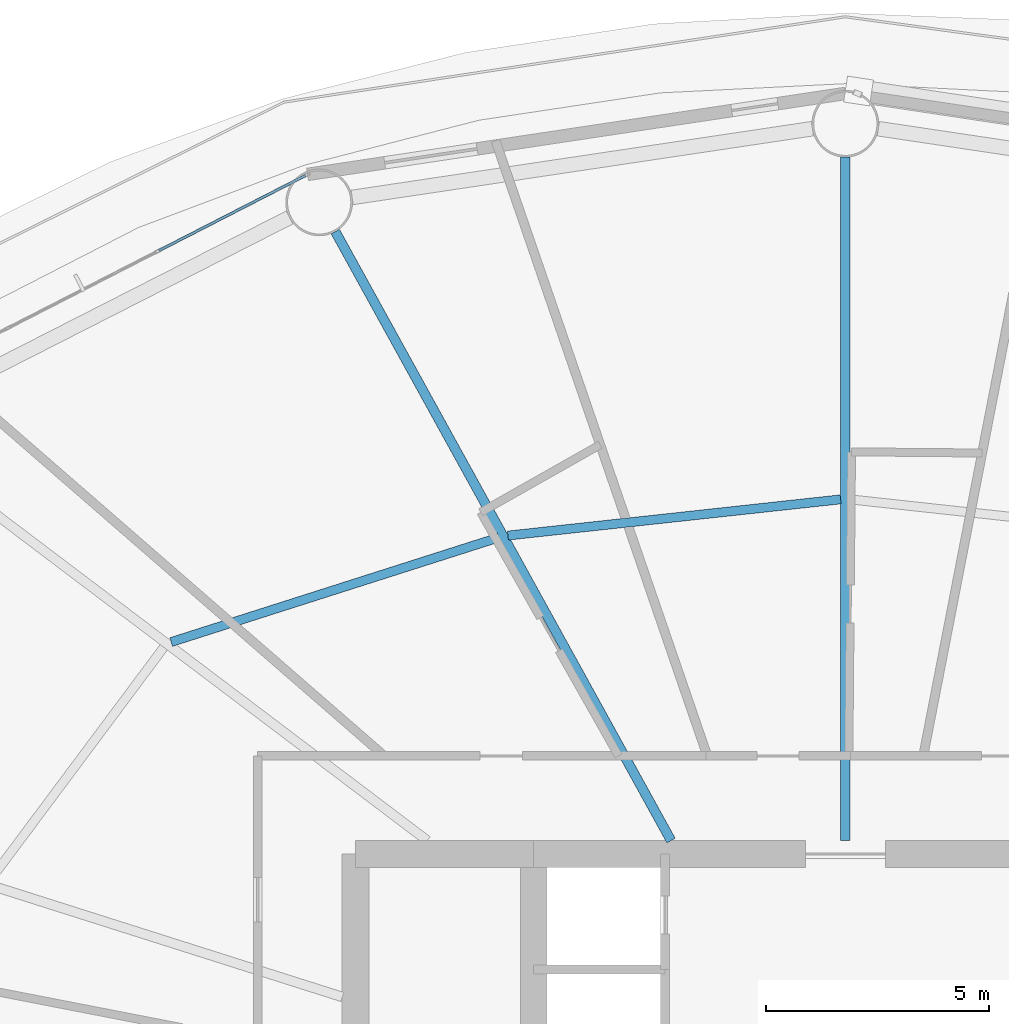
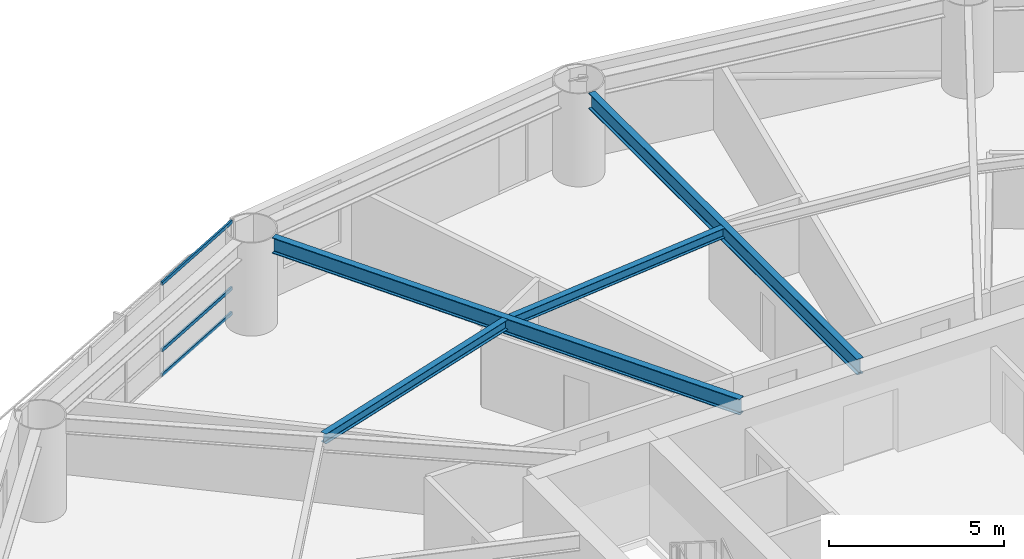
# One storey, part 10 of 27: 4 beams, 3 members, 1 element without a shape of its own.
"""IFC4 building model written with IfcOpenShell, lengths in metres."""

from ifc_helpers import new_model, si_unit, direction, frame, origin, origin_2d, place, context, subcontext, project, spatial, hollow_rectangle, i_section, extrude, material, layer, layer_set, material_profile, profile_set, type_object, element, aggregate, save


model = new_model("IFC4")

# Units and contexts
model_context = context("Model", 3, precision=1e-05, world=origin(), true_north=direction((0.0, 1.0)))
body_context = subcontext(model_context, "Body", "Model", "MODEL_VIEW")
ifc_project = project(units=[si_unit("LENGTHUNIT", "METRE"), si_unit("AREAUNIT", "SQUARE_METRE"), si_unit("VOLUMEUNIT", "CUBIC_METRE"), si_unit("PLANEANGLEUNIT", "RADIAN"), si_unit("MASSUNIT", "GRAM", prefix="KILO")], contexts=[model_context])

# Site, building, storey
site_placement = place(None, origin())
site = spatial("IfcSite", under=ifc_project, at=site_placement, CompositionType="ELEMENT")
building_placement = place(site_placement, origin())
building = spatial("IfcBuilding", under=site, at=building_placement, Name="Sarneth Arch Tower", CompositionType="ELEMENT")
storey_placement = place(building_placement, frame((0.0, 0.0, 75.0)))
storey = spatial("IfcBuildingStorey", under=building, at=storey_placement, Name="L18", CompositionType="ELEMENT", Elevation=75.0)

# Beams
ifc_material_1 = material(Name="Steel S355", Category="steel")
ifc_material_profile_1 = material_profile(ifc_material_1, i_section(OverallWidth=0.202880859375, OverallDepth=0.346923828125, WebThickness=0.0078125, FlangeThickness=0.013427734375, FilletRadius=0.014892578125, at=origin_2d()), Name="W360x64")
ifc_profile_set_1 = profile_set([ifc_material_profile_1], Name="Steel S355")
beam_type_1 = type_object("IfcBeamType", Name="BM-JOIST-360C", PredefinedType="JOIST", material=ifc_profile_set_1)
beam_1_placement = place(storey_placement, frame((47.8935546875, 56.763427734375, 3.076416015625), z_axis=(-0.994129966112, -0.108192469602, 0.0), x_axis=(0.108192469602, -0.994129966112, 0.0)))
element("IfcBeam", 1, at=beam_1_placement, inside=storey, type_object=beam_type_1, Name="L18 Secondary floor joist 05", PredefinedType="JOIST", context=body_context, shape_type="SweptSolid", body=[
    extrude(i_section(OverallWidth=0.202880859375, OverallDepth=0.346923828125, WebThickness=0.0078125, FlangeThickness=0.013427734375, FilletRadius=0.014892578125, at=origin_2d()), origin(), (0.0, 0.0, 1.0), 7.5166015625),
])
beam_2_placement = place(storey_placement, frame((40.212890625, 55.906005859375, 3.076416015625), z_axis=(-0.95266836992, -0.304011475036, 0.0), x_axis=(0.304011475036, -0.95266836992, 0.0)))
element("IfcBeam", 2, at=beam_2_placement, inside=storey, type_object=beam_type_1, Name="L18 Secondary floor joist 06", PredefinedType="JOIST", context=body_context, shape_type="SweptSolid", body=[
    extrude(i_section(OverallWidth=0.202880859375, OverallDepth=0.346923828125, WebThickness=0.0078125, FlangeThickness=0.013427734375, FilletRadius=0.014892578125, at=origin_2d()), origin(), (0.0, 0.0, 1.0), 7.720703125),
])
ifc_material_2 = material(Name="Steel S355", Category="steel")
ifc_material_profile_2 = material_profile(ifc_material_2, i_section(OverallWidth=0.214111328125, OverallDepth=0.549072265625, WebThickness=0.0146484375, FlangeThickness=0.023681640625, FilletRadius=0.01806640625, at=origin_2d()), Name="W530x138")
ifc_profile_set_2 = profile_set([ifc_material_profile_2], Name="Steel S355")
beam_type_2 = type_object("IfcBeamType", Name="BM-RAD-530A", PredefinedType="BEAM", material=ifc_profile_set_2)
beam_3_placement = place(storey_placement, frame((48.0, 49.10009765625, 2.9755859375), z_axis=(0.0, 1.0, 0.0), x_axis=(-1.0, 0.0, 0.0)))
element("IfcBeam", 3, at=beam_3_placement, inside=storey, type_object=beam_type_2, Name="L18 Radial floor girder 05", PredefinedType="BEAM", context=body_context, shape_type="SweptSolid", body=[
    extrude(i_section(OverallWidth=0.214111328125, OverallDepth=0.549072265625, WebThickness=0.0146484375, FlangeThickness=0.023681640625, FilletRadius=0.01806640625, at=origin_2d()), origin(), (0.0, 0.0, 1.0), 15.349853515625),
])
beam_4_placement = place(storey_placement, frame((44.08544921875, 49.10009765625, 2.9755859375), z_axis=(-0.482841370957, 0.875707833979, 0.0), x_axis=(-0.875707833979, -0.482841370957, 0.0)))
element("IfcBeam", 4, at=beam_4_placement, inside=storey, type_object=beam_type_2, Name="L18 Radial floor girder 06", PredefinedType="BEAM", context=body_context, shape_type="SweptSolid", body=[
    extrude(i_section(OverallWidth=0.214111328125, OverallDepth=0.549072265625, WebThickness=0.0146484375, FlangeThickness=0.023681640625, FilletRadius=0.01806640625, at=origin_2d()), origin(), (0.0, 0.0, 1.0), 15.618408203125),
])

# Curtain wall, members
ifc_material_3 = material(Name="Anodised aluminium Type AA25 and solar-control low-e laminated IGU", Category="aluminium")
ifc_layer = layer(ifc_material_3, 0.159912109375)
ifc_layer_set = layer_set([ifc_layer], Name="Anodised aluminium Type AA25 and solar-control low-e laminated IGU")
curtain_wall_type = type_object("IfcCurtainWallType", Name="CW-HOTEL-LOW", PredefinedType="NOTDEFINED", material=ifc_layer_set)
curtain_wall_placement = place(storey_placement, origin())
curtain_wall = element("IfcCurtainWall", 5, at=curtain_wall_placement, inside=storey, type_object=curtain_wall_type, Name="L18 Unitised curtain wall facet 06", PredefinedType="NOTDEFINED")
ifc_material_4 = material(Name="Anodised Aluminium 6063-T6", Category="aluminium")
ifc_material_profile_3 = material_profile(ifc_material_4, hollow_rectangle(XDim=0.06005859375, YDim=0.1201171875, WallThickness=0.00390625, at=origin_2d()), Name="AL-TRAN-120x60x4")
ifc_profile_set_3 = profile_set([ifc_material_profile_3], Name="Anodised Aluminium 6063-T6")
member_type = type_object("IfcMemberType", Name="CW-TRANSOM", PredefinedType="USERDEFINED", material=ifc_profile_set_3)
member_1_placement = place(storey_placement, frame((35.86865234375, 64.034912109375, 0.030029296875), z_axis=(-0.889831232102, -0.456289796485, 0.0), x_axis=(0.456289796485, -0.889831232102, 0.0)))
member_1 = element("IfcMember", 6, at=member_1_placement, type_object=member_type, Name="CW-SYS-3 transom 1.1", ObjectType="TRANSOM", PredefinedType="USERDEFINED", context=body_context, shape_type="SweptSolid", body=[
    extrude(hollow_rectangle(XDim=0.06005859375, YDim=0.1201171875, WallThickness=0.00390625, at=origin_2d()), origin(), (0.0, 0.0, 1.0), 3.69189453125),
])
member_2_placement = place(storey_placement, frame((35.86865234375, 64.034912109375, 0.89990234375), z_axis=(-0.889831232102, -0.456289796485, 0.0), x_axis=(0.456289796485, -0.889831232102, 0.0)))
member_2 = element("IfcMember", 7, at=member_2_placement, type_object=member_type, Name="CW-SYS-3 transom 1.2", ObjectType="TRANSOM", PredefinedType="USERDEFINED", context=body_context, shape_type="SweptSolid", body=[
    extrude(hollow_rectangle(XDim=0.06005859375, YDim=0.1201171875, WallThickness=0.00390625, at=origin_2d()), origin(), (0.0, 0.0, 1.0), 3.69189453125),
])
member_3_placement = place(storey_placement, frame((35.86865234375, 64.034912109375, 3.219970703125), z_axis=(-0.889831232102, -0.456289796485, 0.0), x_axis=(0.456289796485, -0.889831232102, 0.0)))
member_3 = element("IfcMember", 8, at=member_3_placement, type_object=member_type, Name="CW-SYS-3 transom 1.3", ObjectType="TRANSOM", PredefinedType="USERDEFINED", context=body_context, shape_type="SweptSolid", body=[
    extrude(hollow_rectangle(XDim=0.06005859375, YDim=0.1201171875, WallThickness=0.00390625, at=origin_2d()), origin(), (0.0, 0.0, 1.0), 3.69189453125),
])
aggregate(curtain_wall, [member_1, member_2, member_3])

save(model, "model.ifc")
